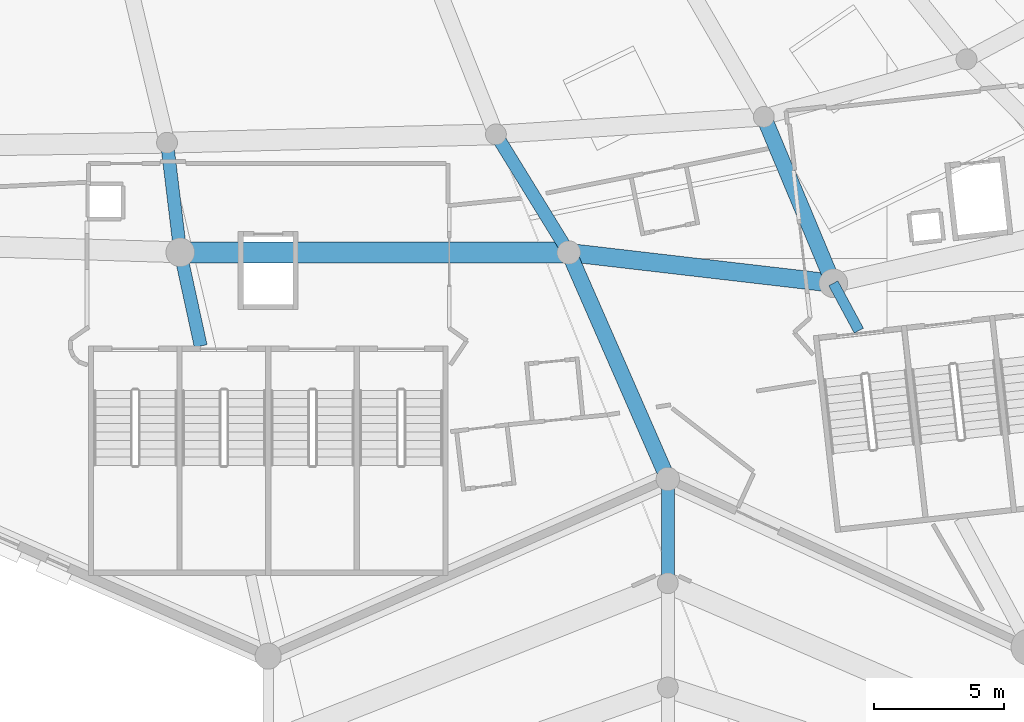
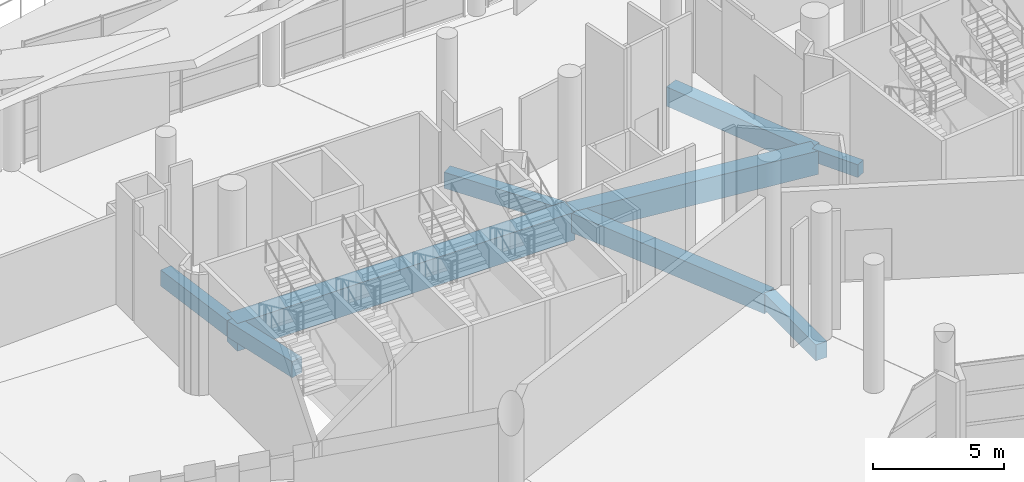
# One storey, part 30 of 249: 9 beams.
"""IFC4 building model written with IfcOpenShell, lengths in metres."""

import ifcopenshell
import ifcopenshell.guid

model = None  # the IFC model being written
_history = None  # IfcOwnerHistory: only IFC2X3 demands one
_inside = {}  # id of a spatial element -> (the spatial element, [elements in it])
_under = {}  # id of a project, library or spatial element -> (it, [spatial elements below it])
_declared = {}  # id of a project -> (the project, [libraries it declares])
_typed = {}  # id of a type object -> (the type object, [elements of that type])
_made_of = {}  # id of a material, layer set ... -> (it, [elements and type objects made of it])


def new_model(schema):
    """Start an empty IFC model of exactly this schema.

    Asked for "IFC4X3", IfcOpenShell would pick the latest addendum, in which some entities
    have other attributes; the version numbers below select the first issue.
    IFC2X3 requires an IfcOwnerHistory on every rooted entity: one is made here for all.
    """
    global model, _history
    if schema == "IFC4X3":
        model = ifcopenshell.file(schema_version=(4, 3, 0, 0))
    else:
        model = ifcopenshell.file(schema=schema)
    _inside.clear()
    _under.clear()
    _declared.clear()
    _typed.clear()
    _made_of.clear()
    _history = None
    if model.schema == "IFC2X3":
        org = make("IfcOrganization", Name="unknown")
        user = make(
            "IfcPersonAndOrganization",
            ThePerson=make("IfcPerson", FamilyName="unknown"),
            TheOrganization=org,
        )
        app = make(
            "IfcApplication",
            ApplicationDeveloper=org,
            Version="unknown",
            ApplicationFullName="unknown",
            ApplicationIdentifier="unknown",
        )
        _history = make(
            "IfcOwnerHistory",
            OwningUser=user,
            OwningApplication=app,
            ChangeAction="ADDED",
            CreationDate=0,
        )
    return model


def make(cls, **values):
    """One entity of the class cls with the attributes given. An attribute that is None is left unset."""
    return model.create_entity(
        cls, **{name: value for name, value in values.items() if value is not None}
    )


def rooted(cls, **values):
    """An entity with a GlobalId (a new one), such as an element, a storey or a relation."""
    return make(cls, GlobalId=ifcopenshell.guid.new(), OwnerHistory=_history, **values)


def si_unit(unit_type, name, prefix=None):
    """IfcSIUnit, for example si_unit("LENGTHUNIT", "METRE", prefix="MILLI")."""
    return make("IfcSIUnit", UnitType=unit_type, Prefix=prefix, Name=name)


def assignment(units):
    """IfcUnitAssignment: the units of a project."""
    return None if units is None else make("IfcUnitAssignment", Units=units)


def point(xyz):
    """IfcCartesianPoint."""
    return None if xyz is None else make("IfcCartesianPoint", Coordinates=xyz)


def direction(xyz):
    """IfcDirection."""
    return None if xyz is None else make("IfcDirection", DirectionRatios=xyz)


def frame(location, z_axis=None, x_axis=None):
    """IfcAxis2Placement3D, a coordinate frame: its origin and axes. An axis left out is left unset."""
    return make(
        "IfcAxis2Placement3D",
        Location=point(location),
        Axis=direction(z_axis),
        RefDirection=direction(x_axis),
    )


def frame_2d(location, x_axis=None):
    """IfcAxis2Placement2D, a coordinate frame in the plane: its origin and x axis."""
    return make(
        "IfcAxis2Placement2D", Location=point(location), RefDirection=direction(x_axis)
    )


def origin():
    """The frame at (0, 0, 0) with its axes left unset."""
    return frame((0.0, 0.0, 0.0))


def origin_2d():
    """The frame at (0, 0) in the plane with its x axis left unset."""
    return frame_2d((0.0, 0.0))


def place(relative_to, where):
    """IfcLocalPlacement: puts the frame where relative to a parent placement (None: the world)."""
    return make(
        "IfcLocalPlacement", PlacementRelTo=relative_to, RelativePlacement=where
    )


def context(
    kind, dimensions, precision=None, world=None, true_north=None, identifier=None
):
    """IfcGeometricRepresentationContext, for example the 3D "Model" context."""
    return make(
        "IfcGeometricRepresentationContext",
        ContextIdentifier=identifier,
        ContextType=kind,
        CoordinateSpaceDimension=dimensions,
        Precision=precision,
        WorldCoordinateSystem=world,
        TrueNorth=true_north,
    )


def subcontext(parent, identifier, kind, view, scale=None):
    """IfcGeometricRepresentationSubContext, for example "Body" below "Model"."""
    return make(
        "IfcGeometricRepresentationSubContext",
        ContextIdentifier=identifier,
        ContextType=kind,
        ParentContext=parent,
        TargetScale=scale,
        TargetView=view,
    )


def project(units=None, contexts=None):
    """IfcProject with its units and contexts."""
    return rooted(
        "IfcProject",
        Name="project",
        RepresentationContexts=contexts,
        UnitsInContext=assignment(units),
    )


def spatial(cls, under=None, at=None, **own):
    """A site, building, storey or space (cls), placed at a placement, below another one or the project."""
    s = rooted(cls, ObjectPlacement=at, **own)
    if under is not None:
        _under.setdefault(under.id(), (under, []))[1].append(s)
    return s


def profile(cls, at=None, kind="AREA", **sizes):
    """A parametric profile (cls). Its sizes go by their IFC names, for example OverallWidth=200.0."""
    return make(cls, ProfileType=kind, Position=at, **sizes)


def rectangle(**sizes):
    """IfcRectangleProfileDef."""
    return profile("IfcRectangleProfileDef", **sizes)


def extrude(swept, where, along, depth):
    """IfcExtrudedAreaSolid: the profile swept, set in the frame where, extruded along a direction by depth."""
    return make(
        "IfcExtrudedAreaSolid",
        SweptArea=swept,
        Position=where,
        ExtrudedDirection=direction(along),
        Depth=depth,
    )


def shape(context_of_items, identifier, shape_type, items):
    """IfcShapeRepresentation: the items that make up one representation, for example the "Body"."""
    return make(
        "IfcShapeRepresentation",
        ContextOfItems=context_of_items,
        RepresentationIdentifier=identifier,
        RepresentationType=shape_type,
        Items=items,
    )


def material(Name=None, Category=None):
    """IfcMaterial."""
    return make("IfcMaterial", Name=Name, Category=Category)


def material_profile(
    of_material, cross_section, Name=None, Category=None, Priority=None
):
    """IfcMaterialProfile: a cross section and its material."""
    return make(
        "IfcMaterialProfile",
        Name=Name,
        Material=of_material,
        Profile=cross_section,
        Priority=Priority,
        Category=Category,
    )


def profile_set(profiles, Name=None, composite=None):
    """IfcMaterialProfileSet."""
    return make(
        "IfcMaterialProfileSet",
        Name=Name,
        MaterialProfiles=profiles,
        CompositeProfile=composite,
    )


def made_of(thing, what):
    """Note that an element or type object is made of a material, layer set ...; save() writes the relation."""
    if what is not None:
        _made_of.setdefault(what.id(), (what, []))[1].append(thing)
    return thing


def type_object(cls, material=None, **own):
    """A type object (cls), such as IfcWallType, which elements share."""
    return made_of(rooted(cls, **own), material)


def element(
    cls,
    number,
    at=None,
    inside=None,
    cuts=None,
    type_object=None,
    material=None,
    context=None,
    identifier="Body",
    shape_type=None,
    held_by="IfcProductDefinitionShape",
    body=None,
    shapes=None,
    **own,
):
    """One element of the class cls, such as IfcWall. Its Tag is "e" and its number.

    at: its placement. inside: the storey or other place that contains it. cuts: it is an
    opening in that element (IfcRelVoidsElement). A single representation is given by context,
    identifier, shape_type and body (its items); several are given by shapes. held_by: the class
    of the entity that holds the representations. save() writes the other relations.
    """
    e = rooted(cls, Tag="e%d" % number, ObjectPlacement=at, **own)
    if body is not None:
        shapes = [shape(context, identifier, shape_type, body)]
    if shapes is not None:
        e.Representation = make(held_by, Representations=shapes)
    if inside is not None:
        _inside.setdefault(inside.id(), (inside, []))[1].append(e)
    if cuts is not None:
        rooted(
            "IfcRelVoidsElement", RelatingBuildingElement=cuts, RelatedOpeningElement=e
        )
    if type_object is not None:
        _typed.setdefault(type_object.id(), (type_object, []))[1].append(e)
    return made_of(e, material)


def aggregate(whole, parts):
    """IfcRelAggregates: a whole, such as a stair, and the parts it consists of."""
    return rooted("IfcRelAggregates", RelatingObject=whole, RelatedObjects=parts)


def save(model, path):
    """Write the relations noted so far, then the file.

    IfcRelAggregates (storeys below a building ...), IfcRelContainedInSpatialStructure (elements
    in a storey), IfcRelDefinesByType, IfcRelAssociatesMaterial and IfcRelDeclares: one each for
    every whole, place, type object, material and project.
    """
    for whole, parts in _under.values():
        aggregate(whole, parts)
    for where, things in _inside.values():
        rooted(
            "IfcRelContainedInSpatialStructure",
            RelatedElements=things,
            RelatingStructure=where,
        )
    for kind, things in _typed.values():
        rooted("IfcRelDefinesByType", RelatedObjects=things, RelatingType=kind)
    for what, things in _made_of.values():
        rooted("IfcRelAssociatesMaterial", RelatedObjects=things, RelatingMaterial=what)
    for by, libraries in _declared.values():
        rooted("IfcRelDeclares", RelatingContext=by, RelatedDefinitions=libraries)
    model.write(path)


model = new_model("IFC4")

# Units and contexts
model_context = context("Model", 3, precision=1e-05, world=origin(), true_north=direction((0.0, 1.0)))
body_context = subcontext(model_context, "Body", "Model", "MODEL_VIEW")
ifc_project = project(units=[si_unit("LENGTHUNIT", "METRE"), si_unit("AREAUNIT", "SQUARE_METRE"), si_unit("VOLUMEUNIT", "CUBIC_METRE"), si_unit("PLANEANGLEUNIT", "RADIAN"), si_unit("MASSUNIT", "GRAM", prefix="KILO")], contexts=[model_context])

# Site, building, storey
site_placement = place(None, origin())
site = spatial("IfcSite", under=ifc_project, at=site_placement, CompositionType="ELEMENT")
building_placement = place(site_placement, origin())
building = spatial("IfcBuilding", under=site, at=building_placement, Name="Meseta Stadium", CompositionType="ELEMENT")
storey_placement = place(building_placement, frame((0.0, 0.0, 12.0)))
storey = spatial("IfcBuildingStorey", under=building, at=storey_placement, Name="L02", CompositionType="ELEMENT", Elevation=12.0)

# Beams
ifc_material_1 = material(Name="Concrete C40/50", Category="concrete")
ifc_material_profile_1 = material_profile(ifc_material_1, rectangle(XDim=0.39990234375, YDim=0.60009765625, at=origin_2d()), Name="RC 400x600")
ifc_profile_set_1 = profile_set([ifc_material_profile_1], Name="Concrete C40/50")
beam_type_1 = type_object("IfcBeamType", Name="RC beam 400x600", PredefinedType="BEAM", material=ifc_profile_set_1)
beam_1_placement = place(storey_placement, frame((44.6826171875, -91.0908203125, -0.64990234375), z_axis=(0.474170370951, -0.880433108937, 0.0), x_axis=(0.880433108937, 0.474170370951, 0.0)))
element("IfcBeam", 1, at=beam_1_placement, inside=storey, type_object=beam_type_1, Name="L02 radial beam frame 50 line P to R", PredefinedType="BEAM", context=body_context, shape_type="SweptSolid", body=[
    extrude(rectangle(XDim=0.39990234375, YDim=0.60009765625, at=origin_2d()), origin(), (0.0, 0.0, 1.0), 2.063720703125),
])
ifc_material_2 = material(Name="Concrete C40/50", Category="concrete")
ifc_material_profile_2 = material_profile(ifc_material_2, rectangle(XDim=0.5, YDim=0.75, at=origin_2d()), Name="RC 500x750")
ifc_profile_set_2 = profile_set([ifc_material_profile_2], Name="Concrete C40/50")
beam_type_2 = type_object("IfcBeamType", Name="RC beam 500x750", PredefinedType="BEAM", material=ifc_profile_set_2)
beam_2_placement = place(storey_placement, frame((19.11865234375, -85.6982421875, -0.72509765625), z_axis=(0.120104176055, -0.992761294015, 0.0), x_axis=(0.992761294015, 0.120104176055, 0.0)))
element("IfcBeam", 2, at=beam_2_placement, inside=storey, type_object=beam_type_2, Name="L02 radial beam frame 48 line E to P", PredefinedType="BEAM", context=body_context, shape_type="SweptSolid", body=[
    extrude(rectangle(XDim=0.5, YDim=0.75, at=origin_2d()), origin(), (0.0, 0.0, 1.0), 4.236328125),
])
beam_3_placement = place(storey_placement, frame((19.62744140625, -89.90380859375, -0.72509765625), z_axis=(0.212671990307, -0.977123648541, 0.0), x_axis=(0.977123648541, 0.212671990307, 0.0)))
element("IfcBeam", 3, at=beam_3_placement, inside=storey, type_object=beam_type_2, Name="L02 radial beam frame 48 line P to R", PredefinedType="BEAM", context=body_context, shape_type="SweptSolid", body=[
    extrude(rectangle(XDim=0.5, YDim=0.75, at=origin_2d()), origin(), (0.0, 0.0, 1.0), 3.680419921875),
])
beam_4_placement = place(storey_placement, frame((31.73681640625, -85.376708984375, -0.72509765625), z_axis=(0.52451674702, -0.85140013043, 0.0), x_axis=(0.85140013043, 0.52451674702, 0.0)))
element("IfcBeam", 4, at=beam_4_placement, inside=storey, type_object=beam_type_2, Name="L02 radial beam frame 49 line E to P", PredefinedType="BEAM", context=body_context, shape_type="SweptSolid", body=[
    extrude(rectangle(XDim=0.5, YDim=0.75, at=origin_2d()), origin(), (0.0, 0.0, 1.0), 5.32666015625),
])
beam_5_placement = place(storey_placement, frame((38.333251953125, -98.60009765625, -0.72509765625), z_axis=(0.0, -1.0, 0.0), x_axis=(1.0, 0.0, 0.0)))
element("IfcBeam", 5, at=beam_5_placement, inside=storey, type_object=beam_type_2, Name="L02 radial beam frame 49 line R to M", PredefinedType="BEAM", context=body_context, shape_type="SweptSolid", body=[
    extrude(rectangle(XDim=0.5, YDim=0.75, at=origin_2d()), origin(), (0.0, 0.0, 1.0), 4.0),
])
ifc_material_3 = material(Name="Concrete C40/50", Category="concrete")
ifc_material_profile_3 = material_profile(ifc_material_3, rectangle(XDim=0.60009765625, YDim=0.89990234375, at=origin_2d()), Name="RC 600x900")
ifc_profile_set_3 = profile_set([ifc_material_profile_3], Name="Concrete C40/50")
beam_type_3 = type_object("IfcBeamType", Name="RC beam 600x900", PredefinedType="BEAM", material=ifc_profile_set_3)
beam_6_placement = place(storey_placement, frame((34.53076171875, -89.911865234375, -0.800048828125), z_axis=(0.4009417199, -0.91610356251, 0.0), x_axis=(0.91610356251, 0.4009417199, 0.0)))
element("IfcBeam", 6, at=beam_6_placement, inside=storey, type_object=beam_type_3, Name="L02 radial beam frame 49 line P to R", PredefinedType="BEAM", context=body_context, shape_type="SweptSolid", body=[
    extrude(rectangle(XDim=0.60009765625, YDim=0.89990234375, at=origin_2d()), origin(), (0.0, 0.0, 1.0), 9.48388671875),
])
beam_7_placement = place(storey_placement, frame((42.015380859375, -84.707275390625, -0.800048828125), z_axis=(0.385529780444, -0.922695393069, 0.0), x_axis=(0.922695393069, 0.385529780444, 0.0)))
element("IfcBeam", 7, at=beam_7_placement, inside=storey, type_object=beam_type_3, Name="L02 radial beam frame 50 line E to P", PredefinedType="BEAM", context=body_context, shape_type="SweptSolid", body=[
    extrude(rectangle(XDim=0.60009765625, YDim=0.89990234375, at=origin_2d()), origin(), (0.0, 0.0, 1.0), 6.91845703125),
])
ifc_material_4 = material(Name="Concrete C40/50", Category="concrete")
ifc_material_profile_4 = material_profile(ifc_material_4, rectangle(XDim=0.699951171875, YDim=1.10009765625, at=origin_2d()), Name="RC 700x1100")
ifc_profile_set_4 = profile_set([ifc_material_profile_4], Name="Concrete C40/50")
beam_type_4 = type_object("IfcBeamType", Name="RC beam 700x1100", PredefinedType="BEAM", material=ifc_profile_set_4)
beam_8_placement = place(storey_placement, frame((34.53076171875, -89.911865234375, -0.89990234375), z_axis=(0.993324132456, -0.115356698466, 0.0), x_axis=(0.115356698466, 0.993324132456, 0.0)))
element("IfcBeam", 8, at=beam_8_placement, inside=storey, type_object=beam_type_4, Name="L02 ring beam frame 49 line P", PredefinedType="BEAM", context=body_context, shape_type="SweptSolid", body=[
    extrude(rectangle(XDim=0.699951171875, YDim=1.10009765625, at=origin_2d()), origin(), (0.0, 0.0, 1.0), 10.219970703125),
])
ifc_material_5 = material(Name="Concrete C40/50", Category="concrete")
ifc_material_profile_5 = material_profile(ifc_material_5, rectangle(XDim=0.800048828125, YDim=1.300048828125, at=origin_2d()), Name="RC 800x1300")
ifc_profile_set_5 = profile_set([ifc_material_profile_5], Name="Concrete C40/50")
beam_type_5 = type_object("IfcBeamType", Name="RC beam 800x1300", PredefinedType="BEAM", material=ifc_profile_set_5)
beam_9_placement = place(storey_placement, frame((19.62744140625, -89.90380859375, -1.0), z_axis=(0.999999853879, -0.000540593591, 0.0), x_axis=(0.000540593591, 0.999999853879, 0.0)))
element("IfcBeam", 9, at=beam_9_placement, inside=storey, type_object=beam_type_5, Name="L02 ring beam frame 48 line P", PredefinedType="BEAM", context=body_context, shape_type="SweptSolid", body=[
    extrude(rectangle(XDim=0.800048828125, YDim=1.300048828125, at=origin_2d()), origin(), (0.0, 0.0, 1.0), 14.9033203125),
])

save(model, "model.ifc")
